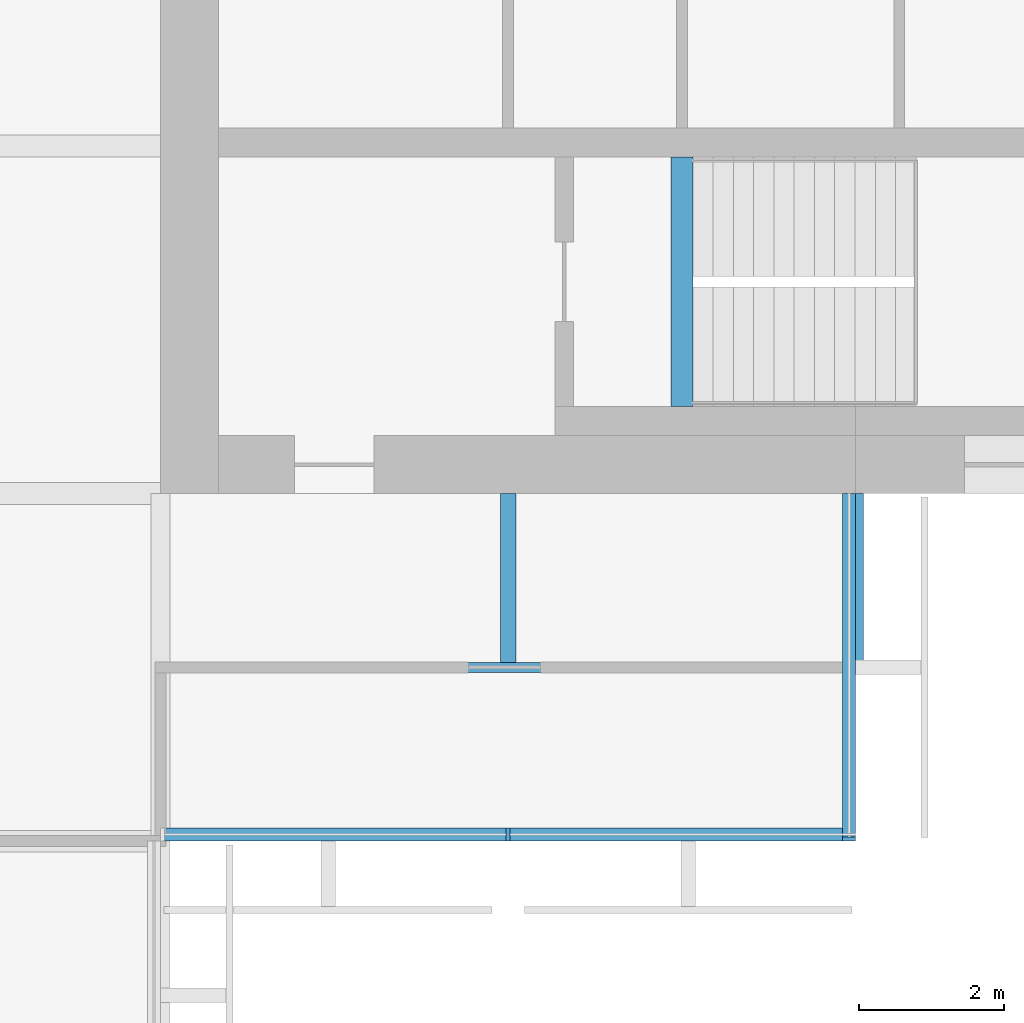
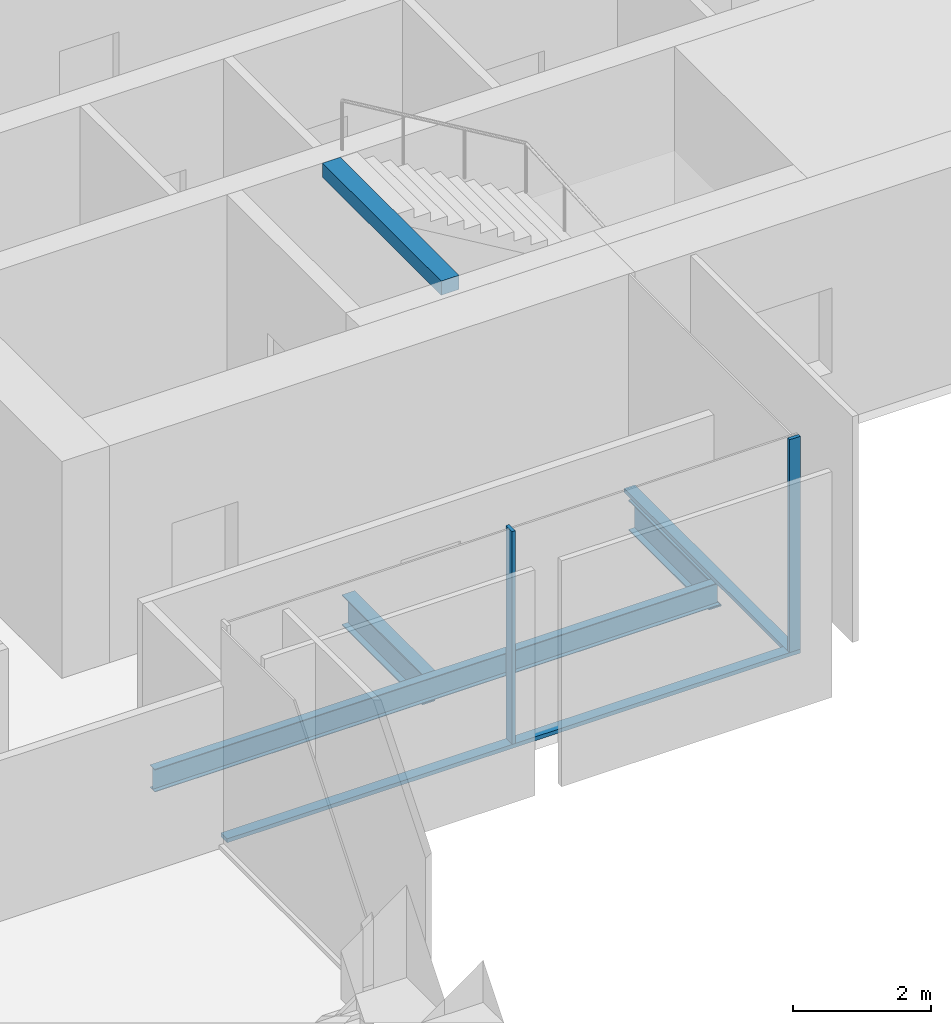
# One storey, part 4 of 13: 4 beams, 4 members, 2 elements without a shape of their own.
"""IFC4 building model written with IfcOpenShell, lengths in metres."""

from ifc_helpers import new_model, si_unit, direction, frame, origin, origin_2d, place, context, subcontext, project, spatial, rectangle, i_section, extrude, material, material_profile, profile_set, type_object, element, aggregate, save


model = new_model("IFC4")

# Units and contexts
model_context = context("Model", 3, precision=1e-05, world=origin(), true_north=direction((0.0, 1.0)))
body_context = subcontext(model_context, "Body", "Model", "MODEL_VIEW")
ifc_project = project(units=[si_unit("LENGTHUNIT", "METRE"), si_unit("AREAUNIT", "SQUARE_METRE"), si_unit("VOLUMEUNIT", "CUBIC_METRE"), si_unit("PLANEANGLEUNIT", "RADIAN"), si_unit("MASSUNIT", "GRAM", prefix="KILO")], contexts=[model_context])

# Site, building, storey
site_placement = place(None, origin())
site = spatial("IfcSite", under=ifc_project, at=site_placement, CompositionType="ELEMENT")
building_placement = place(site_placement, origin())
building = spatial("IfcBuilding", under=site, at=building_placement, Name="Baori Bourse Tower", CompositionType="ELEMENT")
storey_placement = place(building_placement, frame((0.0, 0.0, 217.199951171875)))
storey = spatial("IfcBuildingStorey", under=building, at=storey_placement, Name="L47", CompositionType="ELEMENT", Elevation=217.199951171875)

# Curtain wall, member
ifc_material_1 = material(Name="Pale anodised aluminium", Category="aluminium")
curtain_wall_type = type_object("IfcCurtainWallType", Name="CW2 Curtain wall", PredefinedType="NOTDEFINED", material=ifc_material_1)
curtain_wall_1_placement = place(storey_placement, origin())
curtain_wall_1 = element("IfcCurtainWall", 1, at=curtain_wall_1_placement, inside=storey, type_object=curtain_wall_type, Name="Curtain wall CW2 L47 13", PredefinedType="NOTDEFINED")
ifc_material_2 = material(Name="Pale anodised aluminium", Category="aluminium")
ifc_material_profile_1 = material_profile(ifc_material_2, rectangle(XDim=0.179931640625, YDim=0.054931640625, at=origin_2d()), Name="Mullion 55x180")
ifc_profile_set_1 = profile_set([ifc_material_profile_1], Name="Pale anodised aluminium")
member_type_1 = type_object("IfcMemberType", Name="CW2 Curtain wall mullion", PredefinedType="MULLION", material=ifc_profile_set_1)
member_1_placement = place(storey_placement, frame((43.199951171875, 4.889892578125, 0.070068359375), z_axis=(0.0, 0.0, 1.0), x_axis=(0.0, 1.0, 0.0)))
member_1 = element("IfcMember", 2, at=member_1_placement, type_object=member_type_1, Name="Curtain wall CW2 mullion", PredefinedType="MULLION", context=body_context, shape_type="SweptSolid", body=[
    extrude(rectangle(XDim=0.179931640625, YDim=0.054931640625, at=origin_2d()), origin(), (0.0, 0.0, 1.0), 3.77001953125),
])

curtain_wall_2_placement = place(storey_placement, origin())
curtain_wall_2 = element("IfcCurtainWall", 3, at=curtain_wall_2_placement, inside=storey, type_object=curtain_wall_type, Name="Curtain wall CW2 L47 14", PredefinedType="NOTDEFINED")
member_2_placement = place(storey_placement, frame((47.909912109375, 4.827392578125, 0.070068359375), z_axis=(0.0, 0.0, 1.0), x_axis=(-1.0, 0.0, 0.0)))
member_2 = element("IfcMember", 4, at=member_2_placement, type_object=member_type_1, Name="Curtain wall CW2 mullion", PredefinedType="MULLION", context=body_context, shape_type="SweptSolid", body=[
    extrude(rectangle(XDim=0.179931640625, YDim=0.054931640625, at=origin_2d()), origin(), (0.0, 0.0, 1.0), 3.77001953125),
])

# Member
ifc_material_3 = material(Name="Pale anodised aluminium", Category="aluminium")
ifc_material_profile_2 = material_profile(ifc_material_3, rectangle(XDim=0.179931640625, YDim=0.070068359375, at=origin_2d()), Name="Transom 70x180")
ifc_profile_set_2 = profile_set([ifc_material_profile_2], Name="Pale anodised aluminium")
member_type_2 = type_object("IfcMemberType", Name="CW2 Curtain wall transom", PredefinedType="USERDEFINED", material=ifc_profile_set_2)
member_3_placement = place(storey_placement, frame((38.39990234375, 4.889892578125, 0.03515625), z_axis=(1.0, 0.0, 0.0), x_axis=(0.0, 1.0, 0.0)))
member_3 = element("IfcMember", 5, at=member_3_placement, type_object=member_type_2, Name="Curtain wall CW2 sill rail", ObjectType="TRANSOM", PredefinedType="USERDEFINED", context=body_context, shape_type="SweptSolid", body=[
    extrude(rectangle(XDim=0.179931640625, YDim=0.070068359375, at=origin_2d()), origin(), (0.0, 0.0, 1.0), 9.60009765625),
])

aggregate(curtain_wall_1, [member_3, member_1])

member_4_placement = place(storey_placement, frame((47.909912109375, 4.800048828125, 0.03515625), z_axis=(0.0, 1.0, 0.0), x_axis=(-1.0, 0.0, 0.0)))
member_4 = element("IfcMember", 6, at=member_4_placement, type_object=member_type_2, Name="Curtain wall CW2 sill rail", ObjectType="TRANSOM", PredefinedType="USERDEFINED", context=body_context, shape_type="SweptSolid", body=[
    extrude(rectangle(XDim=0.179931640625, YDim=0.070068359375, at=origin_2d()), origin(), (0.0, 0.0, 1.0), 4.800048828125),
])

aggregate(curtain_wall_2, [member_4, member_2])

# Beams
ifc_material_4 = material(Name="Steel A992 Gr 50", Category="steel")
ifc_material_profile_3 = material_profile(ifc_material_4, i_section(OverallWidth=0.21240234375, OverallDepth=0.54345703125, WebThickness=0.01318359375, FlangeThickness=0.021240234375, at=origin_2d()), Name="W21x83")
ifc_profile_set_3 = profile_set([ifc_material_profile_3], Name="Steel A992 Gr 50")
beam_type_1 = type_object("IfcBeamType", Name="Core bracket W21x83", PredefinedType="BEAM", material=ifc_profile_set_3)
for number, where, z_axis, x_axis, name in (
    (7, (43.199951171875, 7.270263671875, -0.431640625), (0.0, 1.0, 0.0), (-1.0, 0.0, 0.0), "Core bracket L47"),
    (8, (48.0, 7.270263671875, -0.431640625), (0.0, 1.0, 0.0), (-1.0, 0.0, 0.0), "Core bracket L47"),
):
    element("IfcBeam", number, at=place(storey_placement, frame(where, z_axis=z_axis, x_axis=x_axis)), inside=storey, type_object=beam_type_1, Name=name, PredefinedType="BEAM", context=body_context, shape_type="SweptSolid", body=[
        extrude(i_section(OverallWidth=0.21240234375, OverallDepth=0.54345703125, WebThickness=0.01318359375, FlangeThickness=0.021240234375, at=origin_2d()), origin(), (0.0, 0.0, 1.0), 2.329833984375),
    ])
ifc_material_5 = material(Name="Concrete f'c 50 MPa", Category="concrete")
ifc_material_profile_4 = material_profile(ifc_material_5, rectangle(XDim=0.300048828125, YDim=0.25, at=origin_2d()), Name="RC 300x250")
ifc_profile_set_4 = profile_set([ifc_material_profile_4], Name="Concrete f'c 50 MPa")
beam_type_2 = type_object("IfcBeamType", Name="Stair nib beam RC 300x250", PredefinedType="BEAM", material=ifc_profile_set_4)
beam_1_placement = place(storey_placement, frame((45.60009765625, 10.800048828125, 3.715087890625), z_axis=(0.0, 1.0, 0.0), x_axis=(-1.0, 0.0, 0.0)))
element("IfcBeam", 9, at=beam_1_placement, inside=storey, type_object=beam_type_2, Name="Stair EA nib beam L48", PredefinedType="BEAM", context=body_context, shape_type="SweptSolid", body=[
    extrude(rectangle(XDim=0.300048828125, YDim=0.25, at=origin_2d()), origin(), (0.0, 0.0, 1.0), 3.449951171875),
])
ifc_material_6 = material(Name="Steel A992 Gr 50", Category="steel")
ifc_material_profile_5 = material_profile(ifc_material_6, i_section(OverallWidth=0.140380859375, OverallDepth=0.40380859375, WebThickness=0.007080078125, FlangeThickness=0.01123046875, at=origin_2d()), Name="W16x31")
ifc_profile_set_5 = profile_set([ifc_material_profile_5], Name="Steel A992 Gr 50")
beam_type_3 = type_object("IfcBeamType", Name="Trimmer beam W16x31", PredefinedType="BEAM", material=ifc_profile_set_5)
beam_2_placement = place(storey_placement, frame((38.533447265625, 7.199951171875, -0.36181640625), z_axis=(1.0, 0.0, 0.0), x_axis=(0.0, 1.0, 0.0)))
element("IfcBeam", 10, at=beam_2_placement, inside=storey, type_object=beam_type_3, Name="Trimmer beam L47", PredefinedType="BEAM", context=body_context, shape_type="SweptSolid", body=[
    extrude(i_section(OverallWidth=0.140380859375, OverallDepth=0.40380859375, WebThickness=0.007080078125, FlangeThickness=0.01123046875, at=origin_2d()), origin(), (0.0, 0.0, 1.0), 9.466552734375),
])

save(model, "model.ifc")
